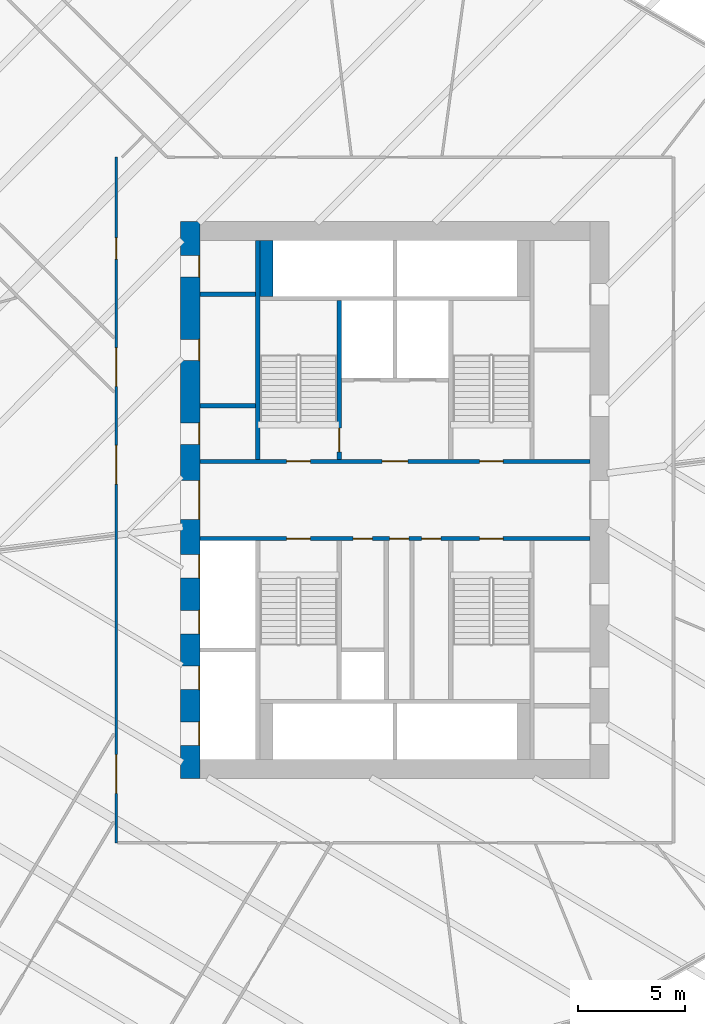
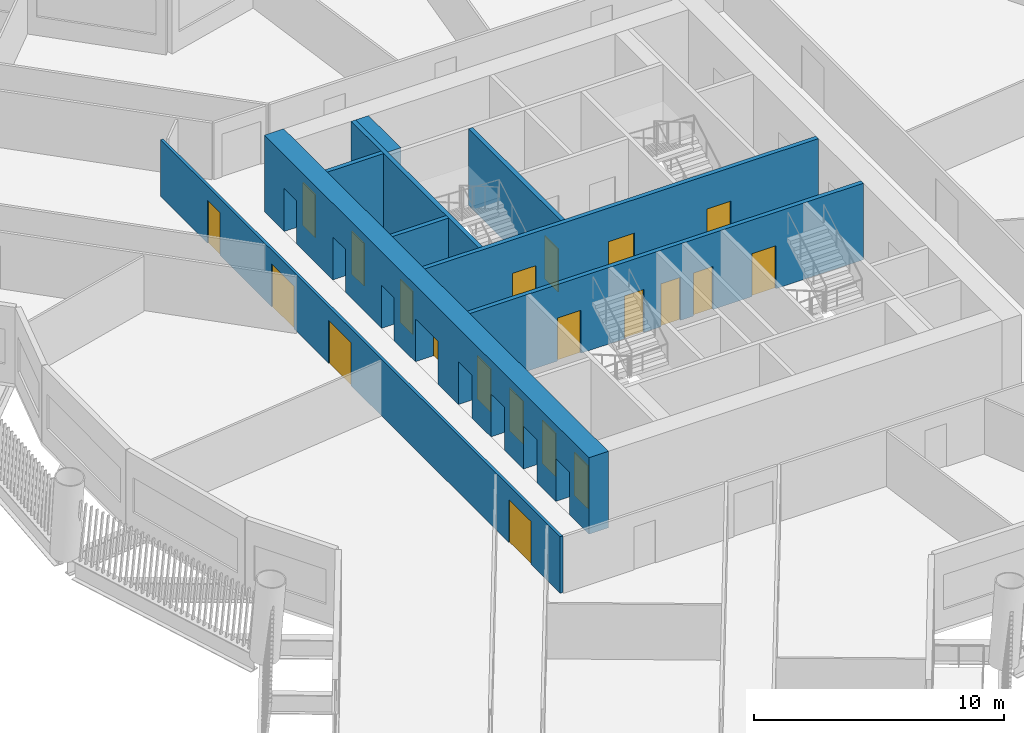
# One storey, part 5 of 22: 21 doors, 9 walls, 21 openings.
"""IFC4 building model written with IfcOpenShell, lengths in metres."""

import ifcopenshell
import ifcopenshell.guid

model = None  # the IFC model being written
_history = None  # IfcOwnerHistory: only IFC2X3 demands one
_inside = {}  # id of a spatial element -> (the spatial element, [elements in it])
_under = {}  # id of a project, library or spatial element -> (it, [spatial elements below it])
_declared = {}  # id of a project -> (the project, [libraries it declares])
_typed = {}  # id of a type object -> (the type object, [elements of that type])
_made_of = {}  # id of a material, layer set ... -> (it, [elements and type objects made of it])


def new_model(schema):
    """Start an empty IFC model of exactly this schema.

    Asked for "IFC4X3", IfcOpenShell would pick the latest addendum, in which some entities
    have other attributes; the version numbers below select the first issue.
    IFC2X3 requires an IfcOwnerHistory on every rooted entity: one is made here for all.
    """
    global model, _history
    if schema == "IFC4X3":
        model = ifcopenshell.file(schema_version=(4, 3, 0, 0))
    else:
        model = ifcopenshell.file(schema=schema)
    _inside.clear()
    _under.clear()
    _declared.clear()
    _typed.clear()
    _made_of.clear()
    _history = None
    if model.schema == "IFC2X3":
        org = make("IfcOrganization", Name="unknown")
        user = make(
            "IfcPersonAndOrganization",
            ThePerson=make("IfcPerson", FamilyName="unknown"),
            TheOrganization=org,
        )
        app = make(
            "IfcApplication",
            ApplicationDeveloper=org,
            Version="unknown",
            ApplicationFullName="unknown",
            ApplicationIdentifier="unknown",
        )
        _history = make(
            "IfcOwnerHistory",
            OwningUser=user,
            OwningApplication=app,
            ChangeAction="ADDED",
            CreationDate=0,
        )
    return model


def make(cls, **values):
    """One entity of the class cls with the attributes given. An attribute that is None is left unset."""
    return model.create_entity(
        cls, **{name: value for name, value in values.items() if value is not None}
    )


def rooted(cls, **values):
    """An entity with a GlobalId (a new one), such as an element, a storey or a relation."""
    return make(cls, GlobalId=ifcopenshell.guid.new(), OwnerHistory=_history, **values)


def si_unit(unit_type, name, prefix=None):
    """IfcSIUnit, for example si_unit("LENGTHUNIT", "METRE", prefix="MILLI")."""
    return make("IfcSIUnit", UnitType=unit_type, Prefix=prefix, Name=name)


def assignment(units):
    """IfcUnitAssignment: the units of a project."""
    return None if units is None else make("IfcUnitAssignment", Units=units)


def point(xyz):
    """IfcCartesianPoint."""
    return None if xyz is None else make("IfcCartesianPoint", Coordinates=xyz)


def direction(xyz):
    """IfcDirection."""
    return None if xyz is None else make("IfcDirection", DirectionRatios=xyz)


def frame(location, z_axis=None, x_axis=None):
    """IfcAxis2Placement3D, a coordinate frame: its origin and axes. An axis left out is left unset."""
    return make(
        "IfcAxis2Placement3D",
        Location=point(location),
        Axis=direction(z_axis),
        RefDirection=direction(x_axis),
    )


def frame_2d(location, x_axis=None):
    """IfcAxis2Placement2D, a coordinate frame in the plane: its origin and x axis."""
    return make(
        "IfcAxis2Placement2D", Location=point(location), RefDirection=direction(x_axis)
    )


def origin():
    """The frame at (0, 0, 0) with its axes left unset."""
    return frame((0.0, 0.0, 0.0))


def place(relative_to, where):
    """IfcLocalPlacement: puts the frame where relative to a parent placement (None: the world)."""
    return make(
        "IfcLocalPlacement", PlacementRelTo=relative_to, RelativePlacement=where
    )


def context(
    kind, dimensions, precision=None, world=None, true_north=None, identifier=None
):
    """IfcGeometricRepresentationContext, for example the 3D "Model" context."""
    return make(
        "IfcGeometricRepresentationContext",
        ContextIdentifier=identifier,
        ContextType=kind,
        CoordinateSpaceDimension=dimensions,
        Precision=precision,
        WorldCoordinateSystem=world,
        TrueNorth=true_north,
    )


def subcontext(parent, identifier, kind, view, scale=None):
    """IfcGeometricRepresentationSubContext, for example "Body" below "Model"."""
    return make(
        "IfcGeometricRepresentationSubContext",
        ContextIdentifier=identifier,
        ContextType=kind,
        ParentContext=parent,
        TargetScale=scale,
        TargetView=view,
    )


def project(units=None, contexts=None):
    """IfcProject with its units and contexts."""
    return rooted(
        "IfcProject",
        Name="project",
        RepresentationContexts=contexts,
        UnitsInContext=assignment(units),
    )


def spatial(cls, under=None, at=None, **own):
    """A site, building, storey or space (cls), placed at a placement, below another one or the project."""
    s = rooted(cls, ObjectPlacement=at, **own)
    if under is not None:
        _under.setdefault(under.id(), (under, []))[1].append(s)
    return s


def profile(cls, at=None, kind="AREA", **sizes):
    """A parametric profile (cls). Its sizes go by their IFC names, for example OverallWidth=200.0."""
    return make(cls, ProfileType=kind, Position=at, **sizes)


def rectangle(**sizes):
    """IfcRectangleProfileDef."""
    return profile("IfcRectangleProfileDef", **sizes)


def extrude(swept, where, along, depth):
    """IfcExtrudedAreaSolid: the profile swept, set in the frame where, extruded along a direction by depth."""
    return make(
        "IfcExtrudedAreaSolid",
        SweptArea=swept,
        Position=where,
        ExtrudedDirection=direction(along),
        Depth=depth,
    )


def shape(context_of_items, identifier, shape_type, items):
    """IfcShapeRepresentation: the items that make up one representation, for example the "Body"."""
    return make(
        "IfcShapeRepresentation",
        ContextOfItems=context_of_items,
        RepresentationIdentifier=identifier,
        RepresentationType=shape_type,
        Items=items,
    )


def material(Name=None, Category=None):
    """IfcMaterial."""
    return make("IfcMaterial", Name=Name, Category=Category)


def layer(
    of_material, thickness, ventilated=None, Name=None, Category=None, Priority=None
):
    """IfcMaterialLayer: one layer of a wall or slab, of a material (None: an air gap)."""
    return make(
        "IfcMaterialLayer",
        Material=of_material,
        LayerThickness=thickness,
        IsVentilated=ventilated,
        Name=Name,
        Category=Category,
        Priority=Priority,
    )


def layer_set(layers, Name=None):
    """IfcMaterialLayerSet."""
    return make("IfcMaterialLayerSet", MaterialLayers=layers, LayerSetName=Name)


def made_of(thing, what):
    """Note that an element or type object is made of a material, layer set ...; save() writes the relation."""
    if what is not None:
        _made_of.setdefault(what.id(), (what, []))[1].append(thing)
    return thing


def type_object(cls, material=None, **own):
    """A type object (cls), such as IfcWallType, which elements share."""
    return made_of(rooted(cls, **own), material)


def element(
    cls,
    number,
    at=None,
    inside=None,
    cuts=None,
    type_object=None,
    material=None,
    context=None,
    identifier="Body",
    shape_type=None,
    held_by="IfcProductDefinitionShape",
    body=None,
    shapes=None,
    **own,
):
    """One element of the class cls, such as IfcWall. Its Tag is "e" and its number.

    at: its placement. inside: the storey or other place that contains it. cuts: it is an
    opening in that element (IfcRelVoidsElement). A single representation is given by context,
    identifier, shape_type and body (its items); several are given by shapes. held_by: the class
    of the entity that holds the representations. save() writes the other relations.
    """
    e = rooted(cls, Tag="e%d" % number, ObjectPlacement=at, **own)
    if body is not None:
        shapes = [shape(context, identifier, shape_type, body)]
    if shapes is not None:
        e.Representation = make(held_by, Representations=shapes)
    if inside is not None:
        _inside.setdefault(inside.id(), (inside, []))[1].append(e)
    if cuts is not None:
        rooted(
            "IfcRelVoidsElement", RelatingBuildingElement=cuts, RelatedOpeningElement=e
        )
    if type_object is not None:
        _typed.setdefault(type_object.id(), (type_object, []))[1].append(e)
    return made_of(e, material)


def fill(opening, filler):
    """IfcRelFillsElement: the door or window that sits in an opening."""
    return rooted(
        "IfcRelFillsElement",
        RelatingOpeningElement=opening,
        RelatedBuildingElement=filler,
    )


def aggregate(whole, parts):
    """IfcRelAggregates: a whole, such as a stair, and the parts it consists of."""
    return rooted("IfcRelAggregates", RelatingObject=whole, RelatedObjects=parts)


def save(model, path):
    """Write the relations noted so far, then the file.

    IfcRelAggregates (storeys below a building ...), IfcRelContainedInSpatialStructure (elements
    in a storey), IfcRelDefinesByType, IfcRelAssociatesMaterial and IfcRelDeclares: one each for
    every whole, place, type object, material and project.
    """
    for whole, parts in _under.values():
        aggregate(whole, parts)
    for where, things in _inside.values():
        rooted(
            "IfcRelContainedInSpatialStructure",
            RelatedElements=things,
            RelatingStructure=where,
        )
    for kind, things in _typed.values():
        rooted("IfcRelDefinesByType", RelatedObjects=things, RelatingType=kind)
    for what, things in _made_of.values():
        rooted("IfcRelAssociatesMaterial", RelatedObjects=things, RelatingMaterial=what)
    for by, libraries in _declared.values():
        rooted("IfcRelDeclares", RelatingContext=by, RelatedDefinitions=libraries)
    model.write(path)


model = new_model("IFC4")

# Units and contexts
model_context = context("Model", 3, precision=1e-05, world=origin(), true_north=direction((0.0, 1.0)))
body_context = subcontext(model_context, "Body", "Model", "MODEL_VIEW")
ifc_project = project(units=[si_unit("LENGTHUNIT", "METRE"), si_unit("AREAUNIT", "SQUARE_METRE"), si_unit("VOLUMEUNIT", "CUBIC_METRE"), si_unit("PLANEANGLEUNIT", "RADIAN"), si_unit("MASSUNIT", "GRAM", prefix="KILO")], contexts=[model_context])

# Site, building, storey
site_placement = place(None, origin())
site = spatial("IfcSite", under=ifc_project, at=site_placement, CompositionType="ELEMENT")
building_placement = place(site_placement, origin())
building = spatial("IfcBuilding", under=site, at=building_placement, Name="Tarsis Ring Headquarters", CompositionType="ELEMENT")
storey_placement = place(building_placement, frame((0.0, 0.0, 79.0)))
storey = spatial("IfcBuildingStorey", under=building, at=storey_placement, Name="L17", CompositionType="ELEMENT", Elevation=79.0)

# Walls
ifc_material_1 = material(Name="Blockwork", Category="masonry")
ifc_layer_1 = layer(ifc_material_1, 0.199951171875)
ifc_layer_set_1 = layer_set([ifc_layer_1], Name="Core blockwork wall 200")
wall_type_1 = type_object("IfcWallType", Name="Core blockwork wall 200", PredefinedType="PARTITIONING", material=ifc_layer_set_1)
for number, where, z_axis, x_axis, name in (
    (1, (-9.10009765625, 4.39990234375, 0.0), (0.0, 0.0, 1.0), (1.0, 0.0, 0.0), "Core partition WD5"),
    (2, (-9.10009765625, 9.60009765625, 0.0), (0.0, 0.0, 1.0), (1.0, 0.0, 0.0), "Core partition WD7"),
):
    element("IfcWall", number, at=place(storey_placement, frame(where, z_axis=z_axis, x_axis=x_axis)), inside=storey, type_object=wall_type_1, Name=name, PredefinedType="PARTITIONING", context=body_context, shape_type="SweptSolid", body=[
        extrude(rectangle(XDim=2.60009765625, YDim=0.199951171875, at=frame_2d((1.300048828125, 0.0))), origin(), (0.0, 0.0, 1.0), 3.739990234375),
    ])

# Wall, openings, doors
ifc_material_2 = material(Name="Concrete C60/75", Category="concrete")
ifc_layer_2 = layer(ifc_material_2, 0.89990234375)
ifc_layer_set_2 = layer_set([ifc_layer_2], Name="Core wall 900 C60/75")
wall_type_2 = type_object("IfcWallType", Name="Core wall 900 C60/75", PredefinedType="SHEAR", material=ifc_layer_set_2)
wall_1_placement = place(storey_placement, frame((-9.550048828125, -13.0, 0.0), z_axis=(0.0, 0.0, 1.0), x_axis=(0.0, 1.0, 0.0)))
wall_1 = element("IfcWall", 3, at=wall_1_placement, inside=storey, type_object=wall_type_2, Name="Core wall OW", PredefinedType="SHEAR", context=body_context, shape_type="SweptSolid", body=[
    extrude(rectangle(XDim=26.0, YDim=0.89990234375, at=frame_2d((13.0, 0.0))), origin(), (0.0, 0.0, 1.0), 3.739990234375),
])
opening_1_placement = place(wall_1_placement, frame((1.550048828125, 0.0, 0.0)))
opening_1 = element("IfcOpeningElement", 4, at=opening_1_placement, cuts=wall_1, Name="Opening LD-LR1", PredefinedType="OPENING", context=body_context, shape_type="SweptSolid", body=[
    extrude(rectangle(XDim=1.10009765625, YDim=2.10009765625, at=frame_2d((0.550048828125, 1.050048828125))), frame((0.0, 0.4599609375, 0.0), z_axis=(0.0, -1.0, 0.0), x_axis=(1.0, 0.0, 0.0)), (0.0, 0.0, 1.0), 0.919921875),
])
opening_2_placement = place(wall_1_placement, frame((4.14990234375, 0.0, 0.0)))
opening_2 = element("IfcOpeningElement", 5, at=opening_2_placement, cuts=wall_1, Name="Opening LD-LR2", PredefinedType="OPENING", context=body_context, shape_type="SweptSolid", body=[
    extrude(rectangle(XDim=1.10009765625, YDim=2.10009765625, at=frame_2d((0.550048828125, 1.050048828125))), frame((0.0, 0.4599609375, 0.0), z_axis=(0.0, -1.0, 0.0), x_axis=(1.0, 0.0, 0.0)), (0.0, 0.0, 1.0), 0.919921875),
])
opening_3_placement = place(wall_1_placement, frame((6.75, 0.0, 0.0)))
opening_3 = element("IfcOpeningElement", 6, at=opening_3_placement, cuts=wall_1, Name="Opening LD-LR3", PredefinedType="OPENING", context=body_context, shape_type="SweptSolid", body=[
    extrude(rectangle(XDim=1.10009765625, YDim=2.10009765625, at=frame_2d((0.550048828125, 1.050048828125))), frame((0.0, 0.4599609375, 0.0), z_axis=(0.0, -1.0, 0.0), x_axis=(1.0, 0.0, 0.0)), (0.0, 0.0, 1.0), 0.919921875),
])
opening_4_placement = place(wall_1_placement, frame((9.35009765625, 0.0, 0.0)))
opening_4 = element("IfcOpeningElement", 7, at=opening_4_placement, cuts=wall_1, Name="Opening LD-LR4", PredefinedType="OPENING", context=body_context, shape_type="SweptSolid", body=[
    extrude(rectangle(XDim=1.10009765625, YDim=2.10009765625, at=frame_2d((0.550048828125, 1.050048828125))), frame((0.0, 0.4599609375, 0.0), z_axis=(0.0, -1.0, 0.0), x_axis=(1.0, 0.0, 0.0)), (0.0, 0.0, 1.0), 0.919921875),
])
opening_5_placement = place(wall_1_placement, frame((12.10009765625, 0.0, 0.0)))
opening_5 = element("IfcOpeningElement", 8, at=opening_5_placement, cuts=wall_1, Name="Opening L17-C05", PredefinedType="OPENING", context=body_context, shape_type="SweptSolid", body=[
    extrude(rectangle(XDim=1.800048828125, YDim=2.10009765625, at=frame_2d((0.89990234375, 1.050048828125))), frame((0.0, 0.4599609375, 0.0), z_axis=(0.0, -1.0, 0.0), x_axis=(1.0, 0.0, 0.0)), (0.0, 0.0, 1.0), 0.919921875),
])
opening_6_placement = place(wall_1_placement, frame((15.60009765625, 0.0, 0.0)))
opening_6 = element("IfcOpeningElement", 9, at=opening_6_placement, cuts=wall_1, Name="Opening L17-C06", PredefinedType="OPENING", context=body_context, shape_type="SweptSolid", body=[
    extrude(rectangle(XDim=1.0, YDim=2.10009765625, at=frame_2d((0.5, 1.050048828125))), frame((0.0, 0.4599609375, 0.0), z_axis=(0.0, -1.0, 0.0), x_axis=(1.0, 0.0, 0.0)), (0.0, 0.0, 1.0), 0.919921875),
])
opening_7_placement = place(wall_1_placement, frame((19.5, 0.0, 0.0)))
opening_7 = element("IfcOpeningElement", 10, at=opening_7_placement, cuts=wall_1, Name="Opening L17-C07", PredefinedType="OPENING", context=body_context, shape_type="SweptSolid", body=[
    extrude(rectangle(XDim=1.0, YDim=2.10009765625, at=frame_2d((0.5, 1.050048828125))), frame((0.0, 0.4599609375, 0.0), z_axis=(0.0, -1.0, 0.0), x_axis=(1.0, 0.0, 0.0)), (0.0, 0.0, 1.0), 0.919921875),
])
opening_8_placement = place(wall_1_placement, frame((23.39990234375, 0.0, 0.0)))
opening_8 = element("IfcOpeningElement", 11, at=opening_8_placement, cuts=wall_1, Name="Opening L17-C08", PredefinedType="OPENING", context=body_context, shape_type="SweptSolid", body=[
    extrude(rectangle(XDim=1.0, YDim=2.10009765625, at=frame_2d((0.5, 1.050048828125))), frame((0.0, 0.4599609375, 0.0), z_axis=(0.0, -1.0, 0.0), x_axis=(1.0, 0.0, 0.0)), (0.0, 0.0, 1.0), 0.919921875),
])
ifc_material_3 = material(Name="Steel S355", Category="steel")
door_type_1 = type_object("IfcDoorType", Name="Core entry door 1800x2100", OperationType="DOUBLE_DOOR_SINGLE_SWING", PredefinedType="DOOR", material=ifc_material_3)
door_1_placement = place(opening_5_placement, origin())
door_1 = element("IfcDoor", 12, at=door_1_placement, inside=storey, type_object=door_type_1, Name="Core entry door L17", OperationType="DOUBLE_DOOR_SINGLE_SWING", OverallHeight=2.10009765625, OverallWidth=1.800048828125, PredefinedType="DOOR", context=body_context, shape_type="SweptSolid", body=[
    extrude(rectangle(XDim=1.800048828125, YDim=2.10009765625, at=frame_2d((0.89990234375, 1.050048828125))), frame((0.0, -0.39990234375, 0.0), z_axis=(0.0, -1.0, 0.0), x_axis=(1.0, 0.0, 0.0)), (0.0, 0.0, 1.0), 0.050048828125),
])
fill(opening_5, door_1)
door_type_2 = type_object("IfcDoorType", Name="Core room door 1000x2100", OperationType="SINGLE_SWING_LEFT", PredefinedType="DOOR", material=ifc_material_3)
door_2_placement = place(opening_6_placement, origin())
door_2 = element("IfcDoor", 13, at=door_2_placement, inside=storey, type_object=door_type_2, Name="Core room door L17", OperationType="SINGLE_SWING_LEFT", OverallHeight=2.10009765625, OverallWidth=1.0, PredefinedType="DOOR", context=body_context, shape_type="SweptSolid", body=[
    extrude(rectangle(XDim=1.0, YDim=2.10009765625, at=frame_2d((0.5, 1.050048828125))), frame((0.0, -0.39990234375, 0.0), z_axis=(0.0, -1.0, 0.0), x_axis=(1.0, 0.0, 0.0)), (0.0, 0.0, 1.0), 0.050048828125),
])
fill(opening_6, door_2)
door_3_placement = place(opening_7_placement, origin())
door_3 = element("IfcDoor", 14, at=door_3_placement, inside=storey, type_object=door_type_2, Name="Core room door L17", OperationType="SINGLE_SWING_LEFT", OverallHeight=2.10009765625, OverallWidth=1.0, PredefinedType="DOOR", context=body_context, shape_type="SweptSolid", body=[
    extrude(rectangle(XDim=1.0, YDim=2.10009765625, at=frame_2d((0.5, 1.050048828125))), frame((0.0, -0.39990234375, 0.0), z_axis=(0.0, -1.0, 0.0), x_axis=(1.0, 0.0, 0.0)), (0.0, 0.0, 1.0), 0.050048828125),
])
fill(opening_7, door_3)
door_4_placement = place(opening_8_placement, origin())
door_4 = element("IfcDoor", 15, at=door_4_placement, inside=storey, type_object=door_type_2, Name="Core room door L17", OperationType="SINGLE_SWING_LEFT", OverallHeight=2.10009765625, OverallWidth=1.0, PredefinedType="DOOR", context=body_context, shape_type="SweptSolid", body=[
    extrude(rectangle(XDim=1.0, YDim=2.10009765625, at=frame_2d((0.5, 1.050048828125))), frame((0.0, -0.39990234375, 0.0), z_axis=(0.0, -1.0, 0.0), x_axis=(1.0, 0.0, 0.0)), (0.0, 0.0, 1.0), 0.050048828125),
])
fill(opening_8, door_4)
door_type_3 = type_object("IfcDoorType", Name="Landing door 1100x2100", OperationType="SLIDING_TO_LEFT", PredefinedType="DOOR", material=ifc_material_3)
door_5_placement = place(opening_1_placement, origin())
door_5 = element("IfcDoor", 16, at=door_5_placement, inside=storey, type_object=door_type_3, Name="Landing door LR1 L17", OperationType="SLIDING_TO_LEFT", OverallHeight=2.10009765625, OverallWidth=1.10009765625, PredefinedType="DOOR", context=body_context, shape_type="SweptSolid", body=[
    extrude(rectangle(XDim=1.10009765625, YDim=2.10009765625, at=frame_2d((0.550048828125, 1.050048828125))), frame((0.0, -0.39990234375, 0.0), z_axis=(0.0, -1.0, 0.0), x_axis=(1.0, 0.0, 0.0)), (0.0, 0.0, 1.0), 0.050048828125),
])
fill(opening_1, door_5)
door_6_placement = place(opening_2_placement, origin())
door_6 = element("IfcDoor", 17, at=door_6_placement, inside=storey, type_object=door_type_3, Name="Landing door LR2 L17", OperationType="SLIDING_TO_LEFT", OverallHeight=2.10009765625, OverallWidth=1.10009765625, PredefinedType="DOOR", context=body_context, shape_type="SweptSolid", body=[
    extrude(rectangle(XDim=1.10009765625, YDim=2.10009765625, at=frame_2d((0.550048828125, 1.050048828125))), frame((0.0, -0.39990234375, 0.0), z_axis=(0.0, -1.0, 0.0), x_axis=(1.0, 0.0, 0.0)), (0.0, 0.0, 1.0), 0.050048828125),
])
fill(opening_2, door_6)
door_7_placement = place(opening_3_placement, origin())
door_7 = element("IfcDoor", 18, at=door_7_placement, inside=storey, type_object=door_type_3, Name="Landing door LR3 L17", OperationType="SLIDING_TO_LEFT", OverallHeight=2.10009765625, OverallWidth=1.10009765625, PredefinedType="DOOR", context=body_context, shape_type="SweptSolid", body=[
    extrude(rectangle(XDim=1.10009765625, YDim=2.10009765625, at=frame_2d((0.550048828125, 1.050048828125))), frame((0.0, -0.39990234375, 0.0), z_axis=(0.0, -1.0, 0.0), x_axis=(1.0, 0.0, 0.0)), (0.0, 0.0, 1.0), 0.050048828125),
])
fill(opening_3, door_7)
door_8_placement = place(opening_4_placement, origin())
door_8 = element("IfcDoor", 19, at=door_8_placement, inside=storey, type_object=door_type_3, Name="Landing door LR4 L17", OperationType="SLIDING_TO_LEFT", OverallHeight=2.10009765625, OverallWidth=1.10009765625, PredefinedType="DOOR", context=body_context, shape_type="SweptSolid", body=[
    extrude(rectangle(XDim=1.10009765625, YDim=2.10009765625, at=frame_2d((0.550048828125, 1.050048828125))), frame((0.0, -0.39990234375, 0.0), z_axis=(0.0, -1.0, 0.0), x_axis=(1.0, 0.0, 0.0)), (0.0, 0.0, 1.0), 0.050048828125),
])
fill(opening_4, door_8)

ifc_material_4 = material(Name="Gypsum board on steel studs", Category="steel")
ifc_layer_3 = layer(ifc_material_4, 0.125)
ifc_layer_set_3 = layer_set([ifc_layer_3], Name="FL partition 125 EI 60 H2770")
wall_type_3 = type_object("IfcWallType", Name="FL partition 125 EI 60 H2770", PredefinedType="PARTITIONING", material=ifc_layer_set_3)
wall_2_placement = place(storey_placement, frame((-13.0, -16.0, 0.0), z_axis=(0.0, 0.0, 1.0), x_axis=(0.0, 1.0, 0.0)))
wall_2 = element("IfcWall", 20, at=wall_2_placement, inside=storey, type_object=wall_type_3, Name="Partition PW1", PredefinedType="PARTITIONING", context=body_context, shape_type="SweptSolid", body=[
    extrude(rectangle(XDim=31.9990234375, YDim=0.125, at=frame_2d((15.99951171875, 0.0))), origin(), (0.0, 0.0, 1.0), 2.77001953125),
])
opening_9_placement = place(wall_2_placement, frame((16.745361328125, 0.0, 0.0)))
opening_9 = element("IfcOpeningElement", 21, at=opening_9_placement, cuts=wall_2, Name="Opening D17.18", PredefinedType="OPENING", context=body_context, shape_type="SweptSolid", body=[
    extrude(rectangle(XDim=1.800048828125, YDim=2.10009765625, at=frame_2d((0.89990234375, 1.050048828125))), frame((0.0, 0.072509765625, 0.0), z_axis=(0.0, -1.0, 0.0), x_axis=(1.0, 0.0, 0.0)), (0.0, 0.0, 1.0), 0.14501953125),
])
opening_10_placement = place(wall_2_placement, frame((27.234375, 0.0, 0.0)))
opening_10 = element("IfcOpeningElement", 22, at=opening_10_placement, cuts=wall_2, Name="Opening D17.21", PredefinedType="OPENING", context=body_context, shape_type="SweptSolid", body=[
    extrude(rectangle(XDim=1.0, YDim=2.10009765625, at=frame_2d((0.5, 1.050048828125))), frame((0.0, 0.072509765625, 0.0), z_axis=(0.0, -1.0, 0.0), x_axis=(1.0, 0.0, 0.0)), (0.0, 0.0, 1.0), 0.14501953125),
])
opening_11_placement = place(wall_2_placement, frame((2.31494140625, 0.0, 0.0)))
opening_11 = element("IfcOpeningElement", 23, at=opening_11_placement, cuts=wall_2, Name="Opening D17.27", PredefinedType="OPENING", context=body_context, shape_type="SweptSolid", body=[
    extrude(rectangle(XDim=1.800048828125, YDim=2.10009765625, at=frame_2d((0.89990234375, 1.050048828125))), frame((0.0, 0.072509765625, 0.0), z_axis=(0.0, -1.0, 0.0), x_axis=(1.0, 0.0, 0.0)), (0.0, 0.0, 1.0), 0.14501953125),
])
opening_12_placement = place(wall_2_placement, frame((21.30126953125, 0.0, 0.0)))
opening_12 = element("IfcOpeningElement", 24, at=opening_12_placement, cuts=wall_2, Name="Opening D17.29", PredefinedType="OPENING", context=body_context, shape_type="SweptSolid", body=[
    extrude(rectangle(XDim=1.800048828125, YDim=2.10009765625, at=frame_2d((0.89990234375, 1.050048828125))), frame((0.0, 0.072509765625, 0.0), z_axis=(0.0, -1.0, 0.0), x_axis=(1.0, 0.0, 0.0)), (0.0, 0.0, 1.0), 0.14501953125),
])
ifc_material_5 = material(Name="Fire-rated timber door leaf in steel frame", Category="steel")
door_type_4 = type_object("IfcDoorType", Name="FL door FD60-1000", OperationType="NOTDEFINED", PredefinedType="DOOR", material=ifc_material_5)
door_9_placement = place(opening_10_placement, origin())
door_9 = element("IfcDoor", 25, at=door_9_placement, inside=storey, type_object=door_type_4, Name="Door D17.21", OperationType="SINGLE_SWING_RIGHT", OverallHeight=2.10009765625, OverallWidth=1.0, PredefinedType="DOOR", context=body_context, shape_type="SweptSolid", body=[
    extrude(rectangle(XDim=1.0, YDim=2.10009765625, at=frame_2d((0.5, 1.050048828125))), frame((0.0, 0.02490234375, 0.0), z_axis=(0.0, -1.0, 0.0), x_axis=(1.0, 0.0, 0.0)), (0.0, 0.0, 1.0), 0.050048828125),
])
fill(opening_10, door_9)
door_type_5 = type_object("IfcDoorType", Name="FL door FD60-1800", OperationType="DOUBLE_DOOR_SINGLE_SWING", PredefinedType="DOOR", material=ifc_material_5)
door_10_placement = place(opening_9_placement, origin())
door_10 = element("IfcDoor", 26, at=door_10_placement, inside=storey, type_object=door_type_5, Name="Door D17.18", OperationType="DOUBLE_DOOR_SINGLE_SWING", OverallHeight=2.10009765625, OverallWidth=1.800048828125, PredefinedType="DOOR", context=body_context, shape_type="SweptSolid", body=[
    extrude(rectangle(XDim=1.800048828125, YDim=2.10009765625, at=frame_2d((0.89990234375, 1.050048828125))), frame((0.0, 0.02490234375, 0.0), z_axis=(0.0, -1.0, 0.0), x_axis=(1.0, 0.0, 0.0)), (0.0, 0.0, 1.0), 0.050048828125),
])
fill(opening_9, door_10)
door_11_placement = place(opening_11_placement, origin())
door_11 = element("IfcDoor", 27, at=door_11_placement, inside=storey, type_object=door_type_5, Name="Door D17.27", OperationType="DOUBLE_DOOR_SINGLE_SWING", OverallHeight=2.10009765625, OverallWidth=1.800048828125, PredefinedType="DOOR", context=body_context, shape_type="SweptSolid", body=[
    extrude(rectangle(XDim=1.800048828125, YDim=2.10009765625, at=frame_2d((0.89990234375, 1.050048828125))), frame((0.0, 0.02490234375, 0.0), z_axis=(0.0, -1.0, 0.0), x_axis=(1.0, 0.0, 0.0)), (0.0, 0.0, 1.0), 0.050048828125),
])
fill(opening_11, door_11)
door_12_placement = place(opening_12_placement, origin())
door_12 = element("IfcDoor", 28, at=door_12_placement, inside=storey, type_object=door_type_5, Name="Door D17.29", OperationType="DOUBLE_DOOR_SINGLE_SWING", OverallHeight=2.10009765625, OverallWidth=1.800048828125, PredefinedType="DOOR", context=body_context, shape_type="SweptSolid", body=[
    extrude(rectangle(XDim=1.800048828125, YDim=2.10009765625, at=frame_2d((0.89990234375, 1.050048828125))), frame((0.0, 0.02490234375, 0.0), z_axis=(0.0, -1.0, 0.0), x_axis=(1.0, 0.0, 0.0)), (0.0, 0.0, 1.0), 0.050048828125),
])
fill(opening_12, door_12)

# Wall
ifc_material_6 = material(Name="Concrete C32/40", Category="concrete")
ifc_layer_4 = layer(ifc_material_6, 0.60009765625)
ifc_layer_set_4 = layer_set([ifc_layer_4], Name="Shaft end wall 600 C32/40")
wall_type_4 = type_object("IfcWallType", Name="Shaft end wall 600 C32/40", PredefinedType="SOLIDWALL", material=ifc_layer_set_4)
wall_3_placement = place(storey_placement, frame((-6.0, 9.5, 0.0), z_axis=(0.0, 0.0, 1.0), x_axis=(0.0, 1.0, 0.0)))
element("IfcWall", 29, at=wall_3_placement, inside=storey, type_object=wall_type_4, Name="Core shaft wall NNE1", PredefinedType="SOLIDWALL", context=body_context, shape_type="SweptSolid", body=[
    extrude(rectangle(XDim=2.60009765625, YDim=0.60009765625, at=frame_2d((1.300048828125, 0.0))), origin(), (0.0, 0.0, 1.0), 3.739990234375),
])

# Wall, openings, doors
ifc_layer_5 = layer(ifc_material_6, 0.199951171875)
ifc_layer_set_5 = layer_set([ifc_layer_5], Name="Shaft wall 200 C32/40")
wall_type_5 = type_object("IfcWallType", Name="Shaft wall 200 C32/40", PredefinedType="SOLIDWALL", material=ifc_layer_set_5)
wall_4_placement = place(storey_placement, frame((-9.10009765625, 1.800048828125, 0.0), z_axis=(0.0, 0.0, 1.0), x_axis=(1.0, 0.0, 0.0)))
wall_4 = element("IfcWall", 30, at=wall_4_placement, inside=storey, type_object=wall_type_5, Name="Core shaft wall CN", PredefinedType="SOLIDWALL", context=body_context, shape_type="SweptSolid", body=[
    extrude(rectangle(XDim=18.2001953125, YDim=0.199951171875, at=frame_2d((9.10009765625, 0.0))), origin(), (0.0, 0.0, 1.0), 3.739990234375),
])
opening_13_placement = place(wall_4_placement, frame((4.050048828125, 0.0, 0.0)))
opening_13 = element("IfcOpeningElement", 31, at=opening_13_placement, cuts=wall_4, Name="Opening L17-C15", PredefinedType="OPENING", context=body_context, shape_type="SweptSolid", body=[
    extrude(rectangle(XDim=1.10009765625, YDim=2.10009765625, at=frame_2d((0.550048828125, 1.050048828125))), frame((0.0, 0.10986328125, 0.0), z_axis=(0.0, -1.0, 0.0), x_axis=(1.0, 0.0, 0.0)), (0.0, 0.0, 1.0), 0.219970703125),
])
opening_14_placement = place(wall_4_placement, frame((8.5, 0.0, 0.0)))
opening_14 = element("IfcOpeningElement", 32, at=opening_14_placement, cuts=wall_4, Name="Opening L17-C16", PredefinedType="OPENING", context=body_context, shape_type="SweptSolid", body=[
    extrude(rectangle(XDim=1.199951171875, YDim=2.10009765625, at=frame_2d((0.60009765625, 1.050048828125))), frame((0.0, 0.10986328125, 0.0), z_axis=(0.0, -1.0, 0.0), x_axis=(1.0, 0.0, 0.0)), (0.0, 0.0, 1.0), 0.219970703125),
])
opening_15_placement = place(wall_4_placement, frame((13.050048828125, 0.0, 0.0)))
opening_15 = element("IfcOpeningElement", 33, at=opening_15_placement, cuts=wall_4, Name="Opening L17-C17", PredefinedType="OPENING", context=body_context, shape_type="SweptSolid", body=[
    extrude(rectangle(XDim=1.10009765625, YDim=2.10009765625, at=frame_2d((0.550048828125, 1.050048828125))), frame((0.0, 0.10986328125, 0.0), z_axis=(0.0, -1.0, 0.0), x_axis=(1.0, 0.0, 0.0)), (0.0, 0.0, 1.0), 0.219970703125),
])
door_type_6 = type_object("IfcDoorType", Name="Firefighting lobby door 1200x2100", OperationType="DOUBLE_DOOR_SINGLE_SWING", PredefinedType="DOOR", material=ifc_material_3)
door_13_placement = place(opening_14_placement, origin())
door_13 = element("IfcDoor", 34, at=door_13_placement, inside=storey, type_object=door_type_6, Name="Firefighting lobby door L17", OperationType="DOUBLE_DOOR_SINGLE_SWING", OverallHeight=2.10009765625, OverallWidth=1.199951171875, PredefinedType="DOOR", context=body_context, shape_type="SweptSolid", body=[
    extrude(rectangle(XDim=1.199951171875, YDim=2.10009765625, at=frame_2d((0.60009765625, 1.050048828125))), frame((0.0, 0.02490234375, 0.0), z_axis=(0.0, -1.0, 0.0), x_axis=(1.0, 0.0, 0.0)), (0.0, 0.0, 1.0), 0.050048828125),
])
fill(opening_14, door_13)
door_type_7 = type_object("IfcDoorType", Name="Stair door 1100x2100", OperationType="SINGLE_SWING_LEFT", PredefinedType="DOOR", material=ifc_material_3)
door_14_placement = place(opening_13_placement, origin())
door_14 = element("IfcDoor", 35, at=door_14_placement, inside=storey, type_object=door_type_7, Name="Stair door L17", OperationType="SINGLE_SWING_LEFT", OverallHeight=2.10009765625, OverallWidth=1.10009765625, PredefinedType="DOOR", context=body_context, shape_type="SweptSolid", body=[
    extrude(rectangle(XDim=1.10009765625, YDim=2.10009765625, at=frame_2d((0.550048828125, 1.050048828125))), frame((0.0, 0.02490234375, 0.0), z_axis=(0.0, -1.0, 0.0), x_axis=(1.0, 0.0, 0.0)), (0.0, 0.0, 1.0), 0.050048828125),
])
fill(opening_13, door_14)
door_15_placement = place(opening_15_placement, origin())
door_15 = element("IfcDoor", 36, at=door_15_placement, inside=storey, type_object=door_type_7, Name="Stair door L17", OperationType="SINGLE_SWING_LEFT", OverallHeight=2.10009765625, OverallWidth=1.10009765625, PredefinedType="DOOR", context=body_context, shape_type="SweptSolid", body=[
    extrude(rectangle(XDim=1.10009765625, YDim=2.10009765625, at=frame_2d((0.550048828125, 1.050048828125))), frame((0.0, 0.02490234375, 0.0), z_axis=(0.0, -1.0, 0.0), x_axis=(1.0, 0.0, 0.0)), (0.0, 0.0, 1.0), 0.050048828125),
])
fill(opening_15, door_15)

wall_5_placement = place(storey_placement, frame((-9.10009765625, -1.800048828125, 0.0), z_axis=(0.0, 0.0, 1.0), x_axis=(1.0, 0.0, 0.0)))
wall_5 = element("IfcWall", 37, at=wall_5_placement, inside=storey, type_object=wall_type_5, Name="Core shaft wall CS", PredefinedType="SOLIDWALL", context=body_context, shape_type="SweptSolid", body=[
    extrude(rectangle(XDim=18.2001953125, YDim=0.199951171875, at=frame_2d((9.10009765625, 0.0))), origin(), (0.0, 0.0, 1.0), 3.739990234375),
])
opening_16_placement = place(wall_5_placement, frame((4.050048828125, 0.0, 0.0)))
opening_16 = element("IfcOpeningElement", 38, at=opening_16_placement, cuts=wall_5, Name="Opening L17-C18", PredefinedType="OPENING", context=body_context, shape_type="SweptSolid", body=[
    extrude(rectangle(XDim=1.10009765625, YDim=2.10009765625, at=frame_2d((0.550048828125, 1.050048828125))), frame((0.0, 0.10986328125, 0.0), z_axis=(0.0, -1.0, 0.0), x_axis=(1.0, 0.0, 0.0)), (0.0, 0.0, 1.0), 0.219970703125),
])
opening_17_placement = place(wall_5_placement, frame((7.14990234375, 0.0, 0.0)))
opening_17 = element("IfcOpeningElement", 39, at=opening_17_placement, cuts=wall_5, Name="Opening L17-C19", PredefinedType="OPENING", context=body_context, shape_type="SweptSolid", body=[
    extrude(rectangle(XDim=0.89990234375, YDim=2.10009765625, at=frame_2d((0.449951171875, 1.050048828125))), frame((0.0, 0.10986328125, 0.0), z_axis=(0.0, -1.0, 0.0), x_axis=(1.0, 0.0, 0.0)), (0.0, 0.0, 1.0), 0.219970703125),
])
opening_18_placement = place(wall_5_placement, frame((8.85009765625, 0.0, 0.0)))
opening_18 = element("IfcOpeningElement", 40, at=opening_18_placement, cuts=wall_5, Name="Opening L17-C20", PredefinedType="OPENING", context=body_context, shape_type="SweptSolid", body=[
    extrude(rectangle(XDim=0.89990234375, YDim=2.10009765625, at=frame_2d((0.449951171875, 1.050048828125))), frame((0.0, 0.10986328125, 0.0), z_axis=(0.0, -1.0, 0.0), x_axis=(1.0, 0.0, 0.0)), (0.0, 0.0, 1.0), 0.219970703125),
])
opening_19_placement = place(wall_5_placement, frame((10.35009765625, 0.0, 0.0)))
opening_19 = element("IfcOpeningElement", 41, at=opening_19_placement, cuts=wall_5, Name="Opening L17-C21", PredefinedType="OPENING", context=body_context, shape_type="SweptSolid", body=[
    extrude(rectangle(XDim=0.89990234375, YDim=2.10009765625, at=frame_2d((0.449951171875, 1.050048828125))), frame((0.0, 0.10986328125, 0.0), z_axis=(0.0, -1.0, 0.0), x_axis=(1.0, 0.0, 0.0)), (0.0, 0.0, 1.0), 0.219970703125),
])
opening_20_placement = place(wall_5_placement, frame((13.050048828125, 0.0, 0.0)))
opening_20 = element("IfcOpeningElement", 42, at=opening_20_placement, cuts=wall_5, Name="Opening L17-C22", PredefinedType="OPENING", context=body_context, shape_type="SweptSolid", body=[
    extrude(rectangle(XDim=1.10009765625, YDim=2.10009765625, at=frame_2d((0.550048828125, 1.050048828125))), frame((0.0, 0.10986328125, 0.0), z_axis=(0.0, -1.0, 0.0), x_axis=(1.0, 0.0, 0.0)), (0.0, 0.0, 1.0), 0.219970703125),
])
door_16_placement = place(opening_16_placement, origin())
door_16 = element("IfcDoor", 43, at=door_16_placement, inside=storey, type_object=door_type_7, Name="Stair door L17", OperationType="SINGLE_SWING_LEFT", OverallHeight=2.10009765625, OverallWidth=1.10009765625, PredefinedType="DOOR", context=body_context, shape_type="SweptSolid", body=[
    extrude(rectangle(XDim=1.10009765625, YDim=2.10009765625, at=frame_2d((0.550048828125, 1.050048828125))), frame((0.0, 0.02490234375, 0.0), z_axis=(0.0, -1.0, 0.0), x_axis=(1.0, 0.0, 0.0)), (0.0, 0.0, 1.0), 0.050048828125),
])
fill(opening_16, door_16)
door_17_placement = place(opening_20_placement, origin())
door_17 = element("IfcDoor", 44, at=door_17_placement, inside=storey, type_object=door_type_7, Name="Stair door L17", OperationType="SINGLE_SWING_LEFT", OverallHeight=2.10009765625, OverallWidth=1.10009765625, PredefinedType="DOOR", context=body_context, shape_type="SweptSolid", body=[
    extrude(rectangle(XDim=1.10009765625, YDim=2.10009765625, at=frame_2d((0.550048828125, 1.050048828125))), frame((0.0, 0.02490234375, 0.0), z_axis=(0.0, -1.0, 0.0), x_axis=(1.0, 0.0, 0.0)), (0.0, 0.0, 1.0), 0.050048828125),
])
fill(opening_20, door_17)
door_type_8 = type_object("IfcDoorType", Name="WC door 900x2100", OperationType="SINGLE_SWING_LEFT", PredefinedType="DOOR", material=ifc_material_3)
door_18_placement = place(opening_17_placement, origin())
door_18 = element("IfcDoor", 45, at=door_18_placement, inside=storey, type_object=door_type_8, Name="WC door L17", OperationType="SINGLE_SWING_LEFT", OverallHeight=2.10009765625, OverallWidth=0.89990234375, PredefinedType="DOOR", context=body_context, shape_type="SweptSolid", body=[
    extrude(rectangle(XDim=0.89990234375, YDim=2.10009765625, at=frame_2d((0.449951171875, 1.050048828125))), frame((0.0, 0.02490234375, 0.0), z_axis=(0.0, -1.0, 0.0), x_axis=(1.0, 0.0, 0.0)), (0.0, 0.0, 1.0), 0.050048828125),
])
fill(opening_17, door_18)
door_19_placement = place(opening_18_placement, origin())
door_19 = element("IfcDoor", 46, at=door_19_placement, inside=storey, type_object=door_type_8, Name="WC door L17", OperationType="SINGLE_SWING_LEFT", OverallHeight=2.10009765625, OverallWidth=0.89990234375, PredefinedType="DOOR", context=body_context, shape_type="SweptSolid", body=[
    extrude(rectangle(XDim=0.89990234375, YDim=2.10009765625, at=frame_2d((0.449951171875, 1.050048828125))), frame((0.0, 0.02490234375, 0.0), z_axis=(0.0, -1.0, 0.0), x_axis=(1.0, 0.0, 0.0)), (0.0, 0.0, 1.0), 0.050048828125),
])
fill(opening_18, door_19)
door_20_placement = place(opening_19_placement, origin())
door_20 = element("IfcDoor", 47, at=door_20_placement, inside=storey, type_object=door_type_8, Name="WC door L17", OperationType="SINGLE_SWING_LEFT", OverallHeight=2.10009765625, OverallWidth=0.89990234375, PredefinedType="DOOR", context=body_context, shape_type="SweptSolid", body=[
    extrude(rectangle(XDim=0.89990234375, YDim=2.10009765625, at=frame_2d((0.449951171875, 1.050048828125))), frame((0.0, 0.02490234375, 0.0), z_axis=(0.0, -1.0, 0.0), x_axis=(1.0, 0.0, 0.0)), (0.0, 0.0, 1.0), 0.050048828125),
])
fill(opening_19, door_20)

# Wall
wall_6_placement = place(storey_placement, frame((-6.39990234375, 1.89990234375, 0.0), z_axis=(0.0, 0.0, 1.0), x_axis=(0.0, 1.0, 0.0)))
element("IfcWall", 48, at=wall_6_placement, inside=storey, type_object=wall_type_5, Name="Core shaft wall WB2", PredefinedType="SOLIDWALL", context=body_context, shape_type="SweptSolid", body=[
    extrude(rectangle(XDim=10.2001953125, YDim=0.199951171875, at=frame_2d((5.10009765625, 0.0))), origin(), (0.0, 0.0, 1.0), 3.739990234375),
])

# Wall, opening, door
wall_7_placement = place(storey_placement, frame((-2.60009765625, 1.89990234375, 0.0), z_axis=(0.0, 0.0, 1.0), x_axis=(0.0, 1.0, 0.0)))
wall_7 = element("IfcWall", 49, at=wall_7_placement, inside=storey, type_object=wall_type_5, Name="Core shaft wall SW1", PredefinedType="SOLIDWALL", context=body_context, shape_type="SweptSolid", body=[
    extrude(rectangle(XDim=7.400146484375, YDim=0.199951171875, at=frame_2d((3.7001953125, 0.0))), origin(), (0.0, 0.0, 1.0), 3.739990234375),
])
opening_21_placement = place(wall_7_placement, frame((0.35009765625, 0.0, 0.0)))
opening_21 = element("IfcOpeningElement", 50, at=opening_21_placement, cuts=wall_7, Name="Opening L17-C23", PredefinedType="OPENING", context=body_context, shape_type="SweptSolid", body=[
    extrude(rectangle(XDim=1.10009765625, YDim=2.10009765625, at=frame_2d((0.550048828125, 1.050048828125))), frame((0.0, 0.10986328125, 0.0), z_axis=(0.0, -1.0, 0.0), x_axis=(1.0, 0.0, 0.0)), (0.0, 0.0, 1.0), 0.219970703125),
])
door_21_placement = place(opening_21_placement, origin())
door_21 = element("IfcDoor", 51, at=door_21_placement, inside=storey, type_object=door_type_7, Name="Stair door L17", OperationType="SINGLE_SWING_LEFT", OverallHeight=2.10009765625, OverallWidth=1.10009765625, PredefinedType="DOOR", context=body_context, shape_type="SweptSolid", body=[
    extrude(rectangle(XDim=1.10009765625, YDim=2.10009765625, at=frame_2d((0.550048828125, 1.050048828125))), frame((0.0, 0.02490234375, 0.0), z_axis=(0.0, -1.0, 0.0), x_axis=(1.0, 0.0, 0.0)), (0.0, 0.0, 1.0), 0.050048828125),
])
fill(opening_21, door_21)

save(model, "model.ifc")
